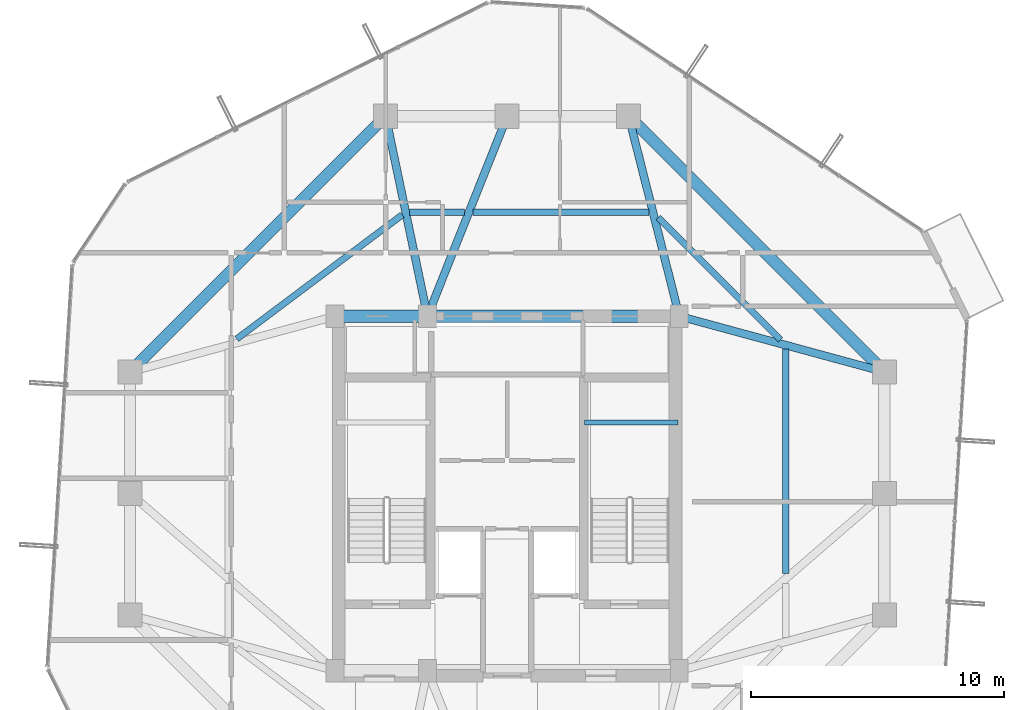
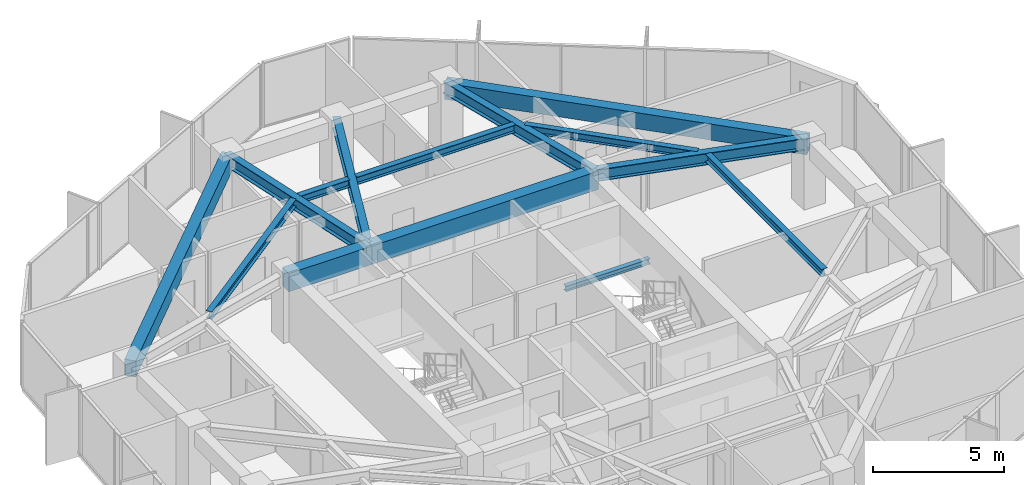
# One storey, part 13 of 29: 14 beams.
"""IFC4 building model written with IfcOpenShell, lengths in metres."""

from ifc_helpers import new_model, si_unit, direction, frame, origin, origin_2d, place, context, subcontext, project, spatial, rectangle, i_section, extrude, material, material_profile, profile_set, type_object, element, save


model = new_model("IFC4")

# Units and contexts
model_context = context("Model", 3, precision=1e-05, world=origin(), true_north=direction((0.0, 1.0)))
body_context = subcontext(model_context, "Body", "Model", "MODEL_VIEW")
ifc_project = project(units=[si_unit("LENGTHUNIT", "METRE"), si_unit("AREAUNIT", "SQUARE_METRE"), si_unit("VOLUMEUNIT", "CUBIC_METRE"), si_unit("PLANEANGLEUNIT", "RADIAN"), si_unit("MASSUNIT", "GRAM", prefix="KILO")], contexts=[model_context])

# Site, building, storey
site_placement = place(None, origin())
site = spatial("IfcSite", under=ifc_project, at=site_placement, CompositionType="ELEMENT")
building_placement = place(site_placement, origin())
building = spatial("IfcBuilding", under=site, at=building_placement, Name="Veraguas Prism Commons", CompositionType="ELEMENT")
storey_placement = place(building_placement, frame((0.0, 0.0, 218.89990234375)))
storey = spatial("IfcBuildingStorey", under=building, at=storey_placement, Name="L62", CompositionType="ELEMENT", Elevation=218.89990234375)

# Beams
ifc_material_1 = material(Name="Concrete C50/60", Category="concrete")
ifc_material_profile_1 = material_profile(ifc_material_1, rectangle(XDim=0.5, YDim=0.85009765625, at=origin_2d()), Name="RC500X850")
ifc_profile_set_1 = profile_set([ifc_material_profile_1], Name="Concrete C50/60")
beam_type_1 = type_object("IfcBeamType", Name="Core Coupling Beam RC 500x850", PredefinedType="BEAM", material=ifc_profile_set_1)
beam_1_placement = place(storey_placement, frame((17.199951171875, 31.0, 2.590087890625), z_axis=(1.0, 0.0, 0.0), x_axis=(0.0, 1.0, 0.0)))
element("IfcBeam", 1, at=beam_1_placement, inside=storey, type_object=beam_type_1, Name="Core Coupling Beam L62-CRN1", PredefinedType="BEAM", context=body_context, shape_type="SweptSolid", body=[
    extrude(rectangle(XDim=0.5, YDim=0.85009765625, at=origin_2d()), origin(), (0.0, 0.0, 1.0), 3.650146484375),
])
beam_2_placement = place(storey_placement, frame((20.85009765625, 31.0, 2.590087890625), z_axis=(1.0, 0.0, 0.0), x_axis=(0.0, 1.0, 0.0)))
element("IfcBeam", 2, at=beam_2_placement, inside=storey, type_object=beam_type_1, Name="Core Coupling Beam L62-CRN2", PredefinedType="BEAM", context=body_context, shape_type="SweptSolid", body=[
    extrude(rectangle(XDim=0.5, YDim=0.85009765625, at=origin_2d()), origin(), (0.0, 0.0, 1.0), 9.949951171875),
])
ifc_material_profile_2 = material_profile(ifc_material_1, rectangle(XDim=0.449951171875, YDim=0.75, at=origin_2d()), Name="RC450X750")
ifc_profile_set_2 = profile_set([ifc_material_profile_2], Name="Concrete C50/60")
beam_type_2 = type_object("IfcBeamType", Name="Perimeter Spandrel Upper RC 450x750", PredefinedType="SPANDREL", material=ifc_profile_set_2)
for number, where, z_axis, x_axis, name in (
    (3, (38.89990234375, 28.800048828125, 2.64013671875), (-0.707106781187, 0.707106781187, 0.0), (-0.707106781187, -0.707106781187, 0.0), "Perimeter Spandrel Beam L62-SP03"),
    (4, (19.199951171875, 38.89990234375, 2.64013671875), (-0.707106781187, -0.707106781187, 0.0), (0.707106781187, -0.707106781187, 0.0), "Perimeter Spandrel Beam L62-SP06"),
):
    element("IfcBeam", number, at=place(storey_placement, frame(where, z_axis=z_axis, x_axis=x_axis)), inside=storey, type_object=beam_type_2, Name=name, PredefinedType="SPANDREL", context=body_context, shape_type="SweptSolid", body=[
        extrude(rectangle(XDim=0.449951171875, YDim=0.75, at=origin_2d()), origin(), (0.0, 0.0, 1.0), 14.283447265625),
    ])
ifc_material_2 = material(Name="Steel ASTM A992 Grade 50", Category="steel")
ifc_material_profile_3 = material_profile(ifc_material_2, i_section(OverallWidth=0.202880859375, OverallDepth=0.251953125, WebThickness=0.008056640625, FlangeThickness=0.013427734375, at=origin_2d()), Name="W250X58")
ifc_profile_set_3 = profile_set([ifc_material_profile_3], Name="Steel ASTM A992 Grade 50")
beam_type_3 = type_object("IfcBeamType", Name="Structural Opening Lintel W250x58", PredefinedType="LINTEL", material=ifc_profile_set_3)
beam_3_placement = place(storey_placement, frame((27.050048828125, 26.800048828125, 1.299072265625), z_axis=(1.0, 0.0, 0.0), x_axis=(0.0, 1.0, 0.0)))
element("IfcBeam", 5, at=beam_3_placement, inside=storey, type_object=beam_type_3, Name="Stair ST-02 Half-Landing Support Beam L62-1", PredefinedType="LINTEL", context=body_context, shape_type="SweptSolid", body=[
    extrude(i_section(OverallWidth=0.202880859375, OverallDepth=0.251953125, WebThickness=0.008056640625, FlangeThickness=0.013427734375, at=origin_2d()), origin(), (0.0, 0.0, 1.0), 3.699951171875),
])
ifc_material_profile_4 = material_profile(ifc_material_2, i_section(OverallWidth=0.25390625, OverallDepth=0.35302734375, WebThickness=0.009521484375, FlangeThickness=0.016357421875, at=origin_2d()), Name="W360X91")
ifc_profile_set_4 = profile_set([ifc_material_profile_4], Name="Steel ASTM A992 Grade 50")
beam_type_4 = type_object("IfcBeamType", Name="Upper Floor Joist W360x91", PredefinedType="JOIST", material=ifc_profile_set_4)
beam_4_placement = place(storey_placement, frame((35.011962890625, 20.843017578125, 2.838623046875), z_axis=(0.0, 1.0, 0.0), x_axis=(-1.0, 0.0, 0.0)))
element("IfcBeam", 6, at=beam_4_placement, inside=storey, type_object=beam_type_4, Name="Composite Floor Joist L62-JS02", PredefinedType="JOIST", context=body_context, shape_type="SweptSolid", body=[
    extrude(i_section(OverallWidth=0.25390625, OverallDepth=0.35302734375, WebThickness=0.009521484375, FlangeThickness=0.016357421875, at=origin_2d()), origin(), (0.0, 0.0, 1.0), 8.85400390625),
])
beam_5_placement = place(storey_placement, frame((34.793701171875, 30.074462890625, 2.838623046875), z_axis=(-0.707124682851, 0.707088879069, 0.0), x_axis=(-0.707088879069, -0.707124682851, 0.0)))
element("IfcBeam", 7, at=beam_5_placement, inside=storey, type_object=beam_type_4, Name="Composite Floor Joist L62-JS03", PredefinedType="JOIST", context=body_context, shape_type="SweptSolid", body=[
    extrude(i_section(OverallWidth=0.25390625, OverallDepth=0.35302734375, WebThickness=0.009521484375, FlangeThickness=0.016357421875, at=origin_2d()), origin(), (0.0, 0.0, 1.0), 6.81884765625),
])
beam_6_placement = place(storey_placement, frame((29.601806640625, 35.10791015625, 2.838623046875), z_axis=(-1.0, 0.0, 0.0), x_axis=(0.0, -1.0, 0.0)))
element("IfcBeam", 8, at=beam_6_placement, inside=storey, type_object=beam_type_4, Name="Composite Floor Joist L62-JS04", PredefinedType="JOIST", context=body_context, shape_type="SweptSolid", body=[
    extrude(i_section(OverallWidth=0.25390625, OverallDepth=0.35302734375, WebThickness=0.009521484375, FlangeThickness=0.016357421875, at=origin_2d()), origin(), (0.0, 0.0, 1.0), 6.948486328125),
])
beam_7_placement = place(storey_placement, frame((22.32275390625, 35.10791015625, 2.838623046875), z_axis=(-1.0, 0.0, 0.0), x_axis=(0.0, -1.0, 0.0)))
element("IfcBeam", 9, at=beam_7_placement, inside=storey, type_object=beam_type_4, Name="Composite Floor Joist L62-JS05", PredefinedType="JOIST", context=body_context, shape_type="SweptSolid", body=[
    extrude(i_section(OverallWidth=0.25390625, OverallDepth=0.35302734375, WebThickness=0.009521484375, FlangeThickness=0.016357421875, at=origin_2d()), origin(), (0.0, 0.0, 1.0), 2.174072265625),
])
beam_8_placement = place(storey_placement, frame((19.8564453125, 35.00634765625, 2.838623046875), z_axis=(-0.800060962004, -0.599918708724, 0.0), x_axis=(0.599918708724, -0.800060962004, 0.0)))
element("IfcBeam", 10, at=beam_8_placement, inside=storey, type_object=beam_type_4, Name="Composite Floor Joist L62-JS06", PredefinedType="JOIST", context=body_context, shape_type="SweptSolid", body=[
    extrude(i_section(OverallWidth=0.25390625, OverallDepth=0.35302734375, WebThickness=0.009521484375, FlangeThickness=0.016357421875, at=origin_2d()), origin(), (0.0, 0.0, 1.0), 8.169189453125),
])
ifc_material_profile_5 = material_profile(ifc_material_2, i_section(OverallWidth=0.31103515625, OverallDepth=0.5458984375, WebThickness=0.0146484375, FlangeThickness=0.023681640625, at=origin_2d()), Name="W530X165")
ifc_profile_set_5 = profile_set([ifc_material_profile_5], Name="Steel ASTM A992 Grade 50")
beam_type_5 = type_object("IfcBeamType", Name="Zone 3 Radial Girder W530x165", PredefinedType="BEAM", material=ifc_profile_set_5)
beam_9_placement = place(storey_placement, frame((38.89990234375, 28.800048828125, 2.7421875), z_axis=(-0.965038506703, 0.262108146725, 0.0), x_axis=(-0.262108146725, -0.965038506703, 0.0)))
element("IfcBeam", 11, at=beam_9_placement, inside=storey, type_object=beam_type_5, Name="Radial Floor Girder L62-RD03", PredefinedType="BEAM", context=body_context, shape_type="SweptSolid", body=[
    extrude(i_section(OverallWidth=0.31103515625, OverallDepth=0.5458984375, WebThickness=0.0146484375, FlangeThickness=0.023681640625, at=origin_2d()), origin(), (0.0, 0.0, 1.0), 8.393310546875),
])
beam_10_placement = place(storey_placement, frame((28.800048828125, 38.89990234375, 2.7421875), z_axis=(0.245424718066, -0.969415652732, 0.0), x_axis=(0.969415652732, 0.245424718066, 0.0)))
element("IfcBeam", 12, at=beam_10_placement, inside=storey, type_object=beam_type_5, Name="Radial Floor Girder L62-RD04", PredefinedType="BEAM", context=body_context, shape_type="SweptSolid", body=[
    extrude(i_section(OverallWidth=0.31103515625, OverallDepth=0.5458984375, WebThickness=0.0146484375, FlangeThickness=0.023681640625, at=origin_2d()), origin(), (0.0, 0.0, 1.0), 8.149169921875),
])
beam_11_placement = place(storey_placement, frame((24.0, 38.89990234375, 2.7421875), z_axis=(-0.370370877803, -0.928883960931, 0.0), x_axis=(0.928883960931, -0.370370877803, 0.0)))
element("IfcBeam", 13, at=beam_11_placement, inside=storey, type_object=beam_type_5, Name="Radial Floor Girder L62-RD05", PredefinedType="BEAM", context=body_context, shape_type="SweptSolid", body=[
    extrude(i_section(OverallWidth=0.31103515625, OverallDepth=0.5458984375, WebThickness=0.0146484375, FlangeThickness=0.023681640625, at=origin_2d()), origin(), (0.0, 0.0, 1.0), 8.504638671875),
])
beam_12_placement = place(storey_placement, frame((19.199951171875, 38.89990234375, 2.7421875), z_axis=(0.204468851168, -0.978873070884, 0.0), x_axis=(0.978873070884, 0.204468851168, 0.0)))
element("IfcBeam", 14, at=beam_12_placement, inside=storey, type_object=beam_type_5, Name="Radial Floor Girder L62-RD06", PredefinedType="BEAM", context=body_context, shape_type="SweptSolid", body=[
    extrude(i_section(OverallWidth=0.31103515625, OverallDepth=0.5458984375, WebThickness=0.0146484375, FlangeThickness=0.023681640625, at=origin_2d()), origin(), (0.0, 0.0, 1.0), 8.0703125),
])

save(model, "model.ifc")
